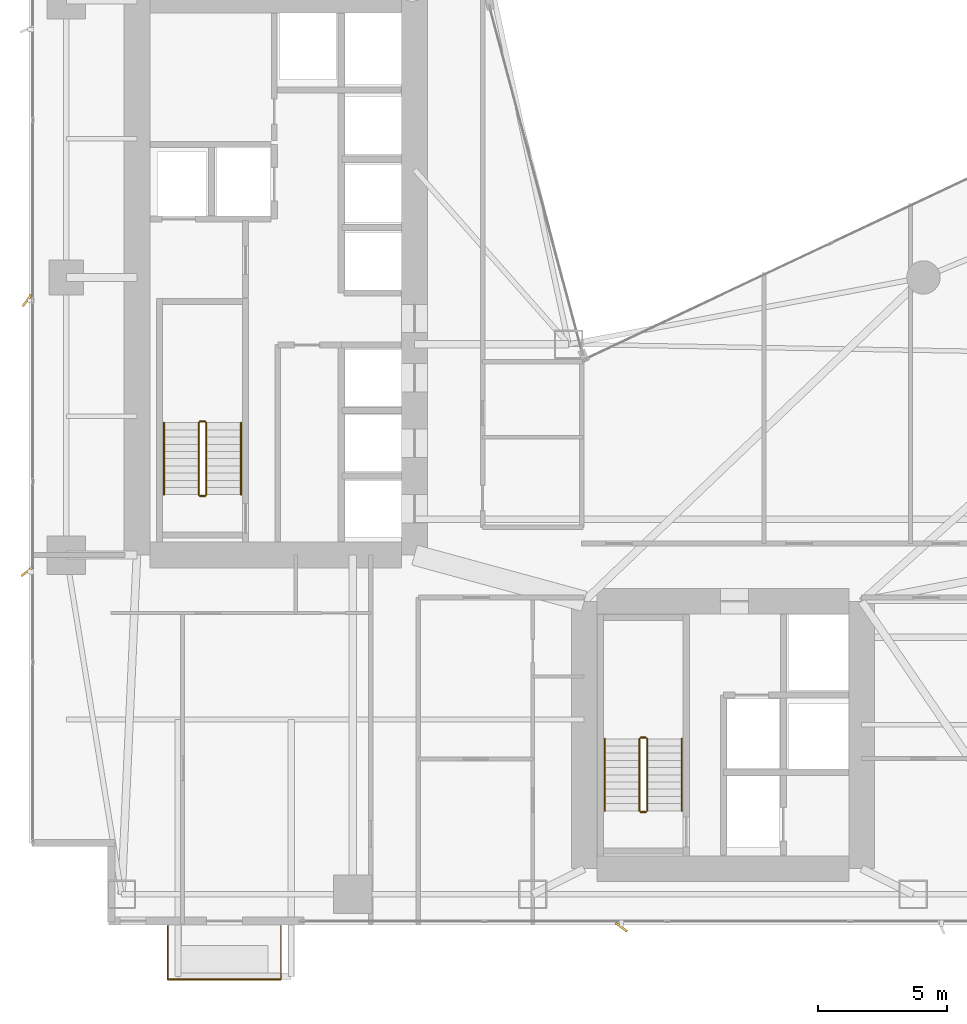
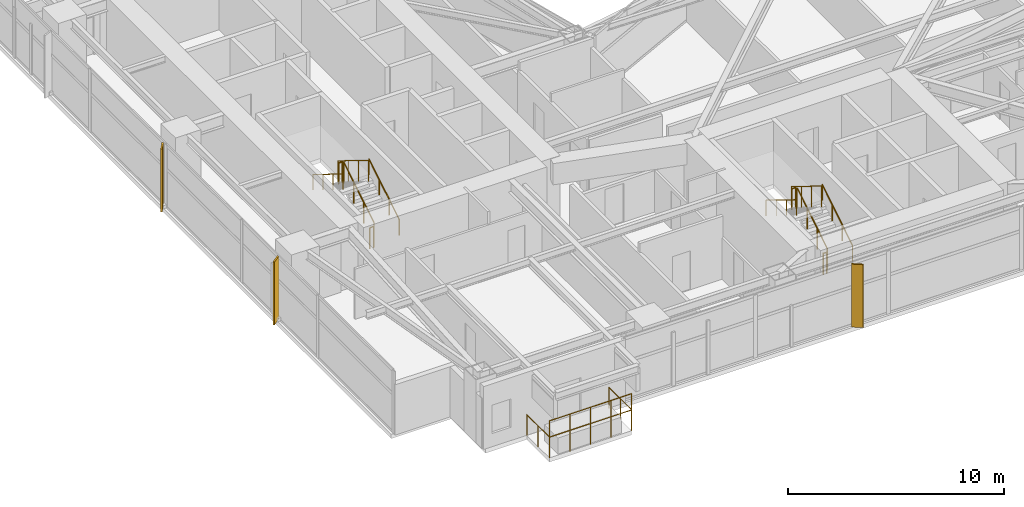
# One storey, part 28 of 30: 14 railings, 3 shading devices.
"""IFC4 building model written with IfcOpenShell, lengths in metres."""

import ifcopenshell
import ifcopenshell.guid

model = None  # the IFC model being written
_history = None  # IfcOwnerHistory: only IFC2X3 demands one
_inside = {}  # id of a spatial element -> (the spatial element, [elements in it])
_under = {}  # id of a project, library or spatial element -> (it, [spatial elements below it])
_declared = {}  # id of a project -> (the project, [libraries it declares])
_typed = {}  # id of a type object -> (the type object, [elements of that type])
_made_of = {}  # id of a material, layer set ... -> (it, [elements and type objects made of it])


def new_model(schema):
    """Start an empty IFC model of exactly this schema.

    Asked for "IFC4X3", IfcOpenShell would pick the latest addendum, in which some entities
    have other attributes; the version numbers below select the first issue.
    IFC2X3 requires an IfcOwnerHistory on every rooted entity: one is made here for all.
    """
    global model, _history
    if schema == "IFC4X3":
        model = ifcopenshell.file(schema_version=(4, 3, 0, 0))
    else:
        model = ifcopenshell.file(schema=schema)
    _inside.clear()
    _under.clear()
    _declared.clear()
    _typed.clear()
    _made_of.clear()
    _history = None
    if model.schema == "IFC2X3":
        org = make("IfcOrganization", Name="unknown")
        user = make(
            "IfcPersonAndOrganization",
            ThePerson=make("IfcPerson", FamilyName="unknown"),
            TheOrganization=org,
        )
        app = make(
            "IfcApplication",
            ApplicationDeveloper=org,
            Version="unknown",
            ApplicationFullName="unknown",
            ApplicationIdentifier="unknown",
        )
        _history = make(
            "IfcOwnerHistory",
            OwningUser=user,
            OwningApplication=app,
            ChangeAction="ADDED",
            CreationDate=0,
        )
    return model


def make(cls, **values):
    """One entity of the class cls with the attributes given. An attribute that is None is left unset."""
    return model.create_entity(
        cls, **{name: value for name, value in values.items() if value is not None}
    )


def rooted(cls, **values):
    """An entity with a GlobalId (a new one), such as an element, a storey or a relation."""
    return make(cls, GlobalId=ifcopenshell.guid.new(), OwnerHistory=_history, **values)


def si_unit(unit_type, name, prefix=None):
    """IfcSIUnit, for example si_unit("LENGTHUNIT", "METRE", prefix="MILLI")."""
    return make("IfcSIUnit", UnitType=unit_type, Prefix=prefix, Name=name)


def assignment(units):
    """IfcUnitAssignment: the units of a project."""
    return None if units is None else make("IfcUnitAssignment", Units=units)


def point(xyz):
    """IfcCartesianPoint."""
    return None if xyz is None else make("IfcCartesianPoint", Coordinates=xyz)


def direction(xyz):
    """IfcDirection."""
    return None if xyz is None else make("IfcDirection", DirectionRatios=xyz)


def frame(location, z_axis=None, x_axis=None):
    """IfcAxis2Placement3D, a coordinate frame: its origin and axes. An axis left out is left unset."""
    return make(
        "IfcAxis2Placement3D",
        Location=point(location),
        Axis=direction(z_axis),
        RefDirection=direction(x_axis),
    )


def frame_2d(location, x_axis=None):
    """IfcAxis2Placement2D, a coordinate frame in the plane: its origin and x axis."""
    return make(
        "IfcAxis2Placement2D", Location=point(location), RefDirection=direction(x_axis)
    )


def origin():
    """The frame at (0, 0, 0) with its axes left unset."""
    return frame((0.0, 0.0, 0.0))


def origin_2d():
    """The frame at (0, 0) in the plane with its x axis left unset."""
    return frame_2d((0.0, 0.0))


def place(relative_to, where):
    """IfcLocalPlacement: puts the frame where relative to a parent placement (None: the world)."""
    return make(
        "IfcLocalPlacement", PlacementRelTo=relative_to, RelativePlacement=where
    )


def context(
    kind, dimensions, precision=None, world=None, true_north=None, identifier=None
):
    """IfcGeometricRepresentationContext, for example the 3D "Model" context."""
    return make(
        "IfcGeometricRepresentationContext",
        ContextIdentifier=identifier,
        ContextType=kind,
        CoordinateSpaceDimension=dimensions,
        Precision=precision,
        WorldCoordinateSystem=world,
        TrueNorth=true_north,
    )


def subcontext(parent, identifier, kind, view, scale=None):
    """IfcGeometricRepresentationSubContext, for example "Body" below "Model"."""
    return make(
        "IfcGeometricRepresentationSubContext",
        ContextIdentifier=identifier,
        ContextType=kind,
        ParentContext=parent,
        TargetScale=scale,
        TargetView=view,
    )


def project(units=None, contexts=None):
    """IfcProject with its units and contexts."""
    return rooted(
        "IfcProject",
        Name="project",
        RepresentationContexts=contexts,
        UnitsInContext=assignment(units),
    )


def spatial(cls, under=None, at=None, **own):
    """A site, building, storey or space (cls), placed at a placement, below another one or the project."""
    s = rooted(cls, ObjectPlacement=at, **own)
    if under is not None:
        _under.setdefault(under.id(), (under, []))[1].append(s)
    return s


def profile(cls, at=None, kind="AREA", **sizes):
    """A parametric profile (cls). Its sizes go by their IFC names, for example OverallWidth=200.0."""
    return make(cls, ProfileType=kind, Position=at, **sizes)


def rectangle(**sizes):
    """IfcRectangleProfileDef."""
    return profile("IfcRectangleProfileDef", **sizes)


def circle(**sizes):
    """IfcCircleProfileDef."""
    return profile("IfcCircleProfileDef", **sizes)


def extrude(swept, where, along, depth):
    """IfcExtrudedAreaSolid: the profile swept, set in the frame where, extruded along a direction by depth."""
    return make(
        "IfcExtrudedAreaSolid",
        SweptArea=swept,
        Position=where,
        ExtrudedDirection=direction(along),
        Depth=depth,
    )


def shape(context_of_items, identifier, shape_type, items):
    """IfcShapeRepresentation: the items that make up one representation, for example the "Body"."""
    return make(
        "IfcShapeRepresentation",
        ContextOfItems=context_of_items,
        RepresentationIdentifier=identifier,
        RepresentationType=shape_type,
        Items=items,
    )


def material(Name=None, Category=None):
    """IfcMaterial."""
    return make("IfcMaterial", Name=Name, Category=Category)


def made_of(thing, what):
    """Note that an element or type object is made of a material, layer set ...; save() writes the relation."""
    if what is not None:
        _made_of.setdefault(what.id(), (what, []))[1].append(thing)
    return thing


def type_object(cls, material=None, **own):
    """A type object (cls), such as IfcWallType, which elements share."""
    return made_of(rooted(cls, **own), material)


def element(
    cls,
    number,
    at=None,
    inside=None,
    cuts=None,
    type_object=None,
    material=None,
    context=None,
    identifier="Body",
    shape_type=None,
    held_by="IfcProductDefinitionShape",
    body=None,
    shapes=None,
    **own,
):
    """One element of the class cls, such as IfcWall. Its Tag is "e" and its number.

    at: its placement. inside: the storey or other place that contains it. cuts: it is an
    opening in that element (IfcRelVoidsElement). A single representation is given by context,
    identifier, shape_type and body (its items); several are given by shapes. held_by: the class
    of the entity that holds the representations. save() writes the other relations.
    """
    e = rooted(cls, Tag="e%d" % number, ObjectPlacement=at, **own)
    if body is not None:
        shapes = [shape(context, identifier, shape_type, body)]
    if shapes is not None:
        e.Representation = make(held_by, Representations=shapes)
    if inside is not None:
        _inside.setdefault(inside.id(), (inside, []))[1].append(e)
    if cuts is not None:
        rooted(
            "IfcRelVoidsElement", RelatingBuildingElement=cuts, RelatedOpeningElement=e
        )
    if type_object is not None:
        _typed.setdefault(type_object.id(), (type_object, []))[1].append(e)
    return made_of(e, material)


def aggregate(whole, parts):
    """IfcRelAggregates: a whole, such as a stair, and the parts it consists of."""
    return rooted("IfcRelAggregates", RelatingObject=whole, RelatedObjects=parts)


def save(model, path):
    """Write the relations noted so far, then the file.

    IfcRelAggregates (storeys below a building ...), IfcRelContainedInSpatialStructure (elements
    in a storey), IfcRelDefinesByType, IfcRelAssociatesMaterial and IfcRelDeclares: one each for
    every whole, place, type object, material and project.
    """
    for whole, parts in _under.values():
        aggregate(whole, parts)
    for where, things in _inside.values():
        rooted(
            "IfcRelContainedInSpatialStructure",
            RelatedElements=things,
            RelatingStructure=where,
        )
    for kind, things in _typed.values():
        rooted("IfcRelDefinesByType", RelatedObjects=things, RelatingType=kind)
    for what, things in _made_of.values():
        rooted("IfcRelAssociatesMaterial", RelatedObjects=things, RelatingMaterial=what)
    for by, libraries in _declared.values():
        rooted("IfcRelDeclares", RelatingContext=by, RelatedDefinitions=libraries)
    model.write(path)


model = new_model("IFC4")

# Units and contexts
model_context = context("Model", 3, precision=1e-05, world=origin(), true_north=direction((0.0, 1.0)))
body_context = subcontext(model_context, "Body", "Model", "MODEL_VIEW")
ifc_project = project(units=[si_unit("LENGTHUNIT", "METRE"), si_unit("AREAUNIT", "SQUARE_METRE"), si_unit("VOLUMEUNIT", "CUBIC_METRE"), si_unit("PLANEANGLEUNIT", "RADIAN"), si_unit("MASSUNIT", "GRAM", prefix="KILO")], contexts=[model_context])

# Site, building, storey
site_placement = place(None, origin())
site = spatial("IfcSite", under=ifc_project, at=site_placement, CompositionType="ELEMENT")
building_placement = place(site_placement, origin())
building = spatial("IfcBuilding", under=site, at=building_placement, Name="Calvorn Quay Hotel", CompositionType="ELEMENT")
storey_placement = place(building_placement, frame((0.0, 0.0, 54.60009765625)))
storey = spatial("IfcBuildingStorey", under=building, at=storey_placement, Name="L12", CompositionType="ELEMENT", Elevation=54.60009765625)

# Railings
ifc_material_1 = material(Name="Pale Anodised Aluminium and Laminated Glass", Category="aluminium")
railing_type_1 = type_object("IfcRailingType", Name="RLG-BALUSTRADE-1200", PredefinedType="BALUSTRADE", material=ifc_material_1)
railing_1_placement = place(storey_placement, frame((5.39990234375, 2.389892578125, 0.0)))
element("IfcRailing", 1, at=railing_1_placement, inside=storey, type_object=railing_type_1, Name="Tree Balcony Perimeter Balustrade L12-BALC-S", PredefinedType="BALUSTRADE", context=body_context, shape_type="SweptSolid", body=[
    extrude(circle(Radius=0.02392578125, at=origin_2d()), frame((0.0, 0.0, 1.17578125), z_axis=(0.0, -1.0, 0.0), x_axis=(1.0, 0.0, 0.0)), (0.0, 0.0, 1.0), 2.099853515625),
    extrude(circle(Radius=0.02392578125, at=origin_2d()), frame((0.0, -2.099853515625, 1.17578125), z_axis=(1.0, 0.0, 0.0), x_axis=(0.0, 1.0, 0.0)), (0.0, 0.0, 1.0), 4.400146484375),
    extrude(circle(Radius=0.02392578125, at=origin_2d()), frame((4.400146484375, -2.099853515625, 1.17578125), z_axis=(0.0, 1.0, 0.0), x_axis=(-1.0, 0.0, 0.0)), (0.0, 0.0, 1.0), 2.099853515625),
    extrude(circle(Radius=0.02099609375, at=origin_2d()), origin(), (0.0, 0.0, 1.0), 1.15185546875),
    extrude(circle(Radius=0.02099609375, at=origin_2d()), frame((0.0, -1.0498046875, 0.0)), (0.0, 0.0, 1.0), 1.15185546875),
    extrude(circle(Radius=0.02099609375, at=origin_2d()), frame((0.0, -2.099853515625, 0.0)), (0.0, 0.0, 1.0), 1.15185546875),
    extrude(circle(Radius=0.02099609375, at=origin_2d()), frame((1.10009765625, -2.099853515625, 0.0)), (0.0, 0.0, 1.0), 1.15185546875),
    extrude(circle(Radius=0.02099609375, at=origin_2d()), frame((2.2001953125, -2.099853515625, 0.0)), (0.0, 0.0, 1.0), 1.15185546875),
    extrude(circle(Radius=0.02099609375, at=origin_2d()), frame((3.300048828125, -2.099853515625, 0.0)), (0.0, 0.0, 1.0), 1.15185546875),
    extrude(circle(Radius=0.02099609375, at=origin_2d()), frame((4.400146484375, -2.099853515625, 0.0)), (0.0, 0.0, 1.0), 1.15185546875),
    extrude(circle(Radius=0.02099609375, at=origin_2d()), frame((4.400146484375, -1.0498046875, 0.0)), (0.0, 0.0, 1.0), 1.15185546875),
    extrude(circle(Radius=0.02099609375, at=origin_2d()), frame((4.400146484375, 0.0, 0.0)), (0.0, 0.0, 1.0), 1.15185546875),
])
railing_2_placement = place(storey_placement, frame((5.39990234375, 0.2900390625, 0.89990234375)))
element("IfcRailing", 2, at=railing_2_placement, inside=storey, type_object=railing_type_1, Name="Planter Kerb High Safety Screen L12-BALC-S", PredefinedType="BALUSTRADE", context=body_context, shape_type="SweptSolid", body=[
    extrude(circle(Radius=0.02392578125, at=origin_2d()), frame((0.0, 0.0, 1.19580078125), z_axis=(1.0, 0.0, 0.0), x_axis=(0.0, 1.0, 0.0)), (0.0, 0.0, 1.0), 4.400146484375),
    extrude(circle(Radius=0.02099609375, at=origin_2d()), origin(), (0.0, 0.0, 1.0), 1.171875),
    extrude(circle(Radius=0.02099609375, at=origin_2d()), frame((1.10009765625, 0.0, 0.0)), (0.0, 0.0, 1.0), 1.171875),
    extrude(circle(Radius=0.02099609375, at=origin_2d()), frame((2.2001953125, 0.0, 0.0)), (0.0, 0.0, 1.0), 1.171875),
    extrude(circle(Radius=0.02099609375, at=origin_2d()), frame((3.300048828125, 0.0, 0.0)), (0.0, 0.0, 1.0), 1.171875),
    extrude(circle(Radius=0.02099609375, at=origin_2d()), frame((4.400146484375, 0.0, 0.0)), (0.0, 0.0, 1.0), 1.171875),
])
ifc_material_2 = material(Name="Brushed Stainless Steel Handrail", Category="steel")
railing_type_2 = type_object("IfcRailingType", Name="RLG-HANDRAIL-900", PredefinedType="HANDRAIL", material=ifc_material_2)
railing_3_placement = place(storey_placement, frame((8.25, 19.14990234375, 0.172607421875)))
element("IfcRailing", 3, at=railing_3_placement, inside=storey, type_object=railing_type_2, Name="L12 ST-W stair handrail 1", PredefinedType="HANDRAIL", context=body_context, shape_type="SweptSolid", body=[
    extrude(circle(Radius=0.02392578125, at=origin_2d()), frame((0.0, 0.0, 0.8759765625), z_axis=(0.0, 0.851089632645, 0.525020415988), x_axis=(-1.0, 0.0, 0.0)), (0.0, 0.0, 1.0), 3.2900390625),
    extrude(circle(Radius=0.02099609375, at=origin_2d()), origin(), (0.0, 0.0, 1.0), 0.851806640625),
    extrude(circle(Radius=0.02099609375, at=origin_2d()), frame((0.0, 0.933349609375, 0.57568359375)), (0.0, 0.0, 1.0), 0.851806640625),
    extrude(circle(Radius=0.02099609375, at=origin_2d()), frame((0.0, 1.86669921875, 1.151611328125)), (0.0, 0.0, 1.0), 0.851806640625),
    extrude(circle(Radius=0.02099609375, at=origin_2d()), frame((0.0, 2.800048828125, 1.727294921875)), (0.0, 0.0, 1.0), 0.851806640625),
])
railing_4_placement = place(storey_placement, frame((5.25, 21.949951171875, 2.072509765625)))
element("IfcRailing", 4, at=railing_4_placement, inside=storey, type_object=railing_type_2, Name="L12 ST-W stair handrail 2", PredefinedType="HANDRAIL", context=body_context, shape_type="SweptSolid", body=[
    extrude(circle(Radius=0.02392578125, at=origin_2d()), frame((0.0, 0.0, 0.8759765625), z_axis=(0.0, -0.851089632645, 0.525020415988), x_axis=(1.0, 0.0, 0.0)), (0.0, 0.0, 1.0), 3.2900390625),
    extrude(circle(Radius=0.02099609375, at=origin_2d()), origin(), (0.0, 0.0, 1.0), 0.851806640625),
    extrude(circle(Radius=0.02099609375, at=origin_2d()), frame((0.0, -0.933349609375, 0.57568359375)), (0.0, 0.0, 1.0), 0.851806640625),
    extrude(circle(Radius=0.02099609375, at=origin_2d()), frame((0.0, -1.86669921875, 1.151611328125)), (0.0, 0.0, 1.0), 0.851806640625),
    extrude(circle(Radius=0.02099609375, at=origin_2d()), frame((0.0, -2.800048828125, 1.727294921875)), (0.0, 0.0, 1.0), 0.851806640625),
])
railing_5_placement = place(storey_placement, frame((25.39990234375, 6.85009765625, 0.172607421875)))
element("IfcRailing", 5, at=railing_5_placement, inside=storey, type_object=railing_type_2, Name="L12 ST-E stair handrail 1", PredefinedType="HANDRAIL", context=body_context, shape_type="SweptSolid", body=[
    extrude(circle(Radius=0.02392578125, at=origin_2d()), frame((0.0, 0.0, 0.8759765625), z_axis=(0.0, 0.851069175582, 0.525053576669), x_axis=(-1.0, 0.0, 0.0)), (0.0, 0.0, 1.0), 3.289794921875),
    extrude(circle(Radius=0.02099609375, at=origin_2d()), origin(), (0.0, 0.0, 1.0), 0.851806640625),
    extrude(circle(Radius=0.02099609375, at=origin_2d()), frame((0.0, 0.933349609375, 0.57568359375)), (0.0, 0.0, 1.0), 0.851806640625),
    extrude(circle(Radius=0.02099609375, at=origin_2d()), frame((0.0, 1.866455078125, 1.151611328125)), (0.0, 0.0, 1.0), 0.851806640625),
    extrude(circle(Radius=0.02099609375, at=origin_2d()), frame((0.0, 2.7998046875, 1.727294921875)), (0.0, 0.0, 1.0), 0.851806640625),
])
railing_6_placement = place(storey_placement, frame((22.39990234375, 9.64990234375, 2.072509765625)))
element("IfcRailing", 6, at=railing_6_placement, inside=storey, type_object=railing_type_2, Name="L12 ST-E stair handrail 2", PredefinedType="HANDRAIL", context=body_context, shape_type="SweptSolid", body=[
    extrude(circle(Radius=0.02392578125, at=origin_2d()), frame((0.0, 0.0, 0.8759765625), z_axis=(0.0, -0.851069175582, 0.525053576669), x_axis=(1.0, 0.0, 0.0)), (0.0, 0.0, 1.0), 3.289794921875),
    extrude(circle(Radius=0.02099609375, at=origin_2d()), origin(), (0.0, 0.0, 1.0), 0.851806640625),
    extrude(circle(Radius=0.02099609375, at=origin_2d()), frame((0.0, -0.933349609375, 0.57568359375)), (0.0, 0.0, 1.0), 0.851806640625),
    extrude(circle(Radius=0.02099609375, at=origin_2d()), frame((0.0, -1.866455078125, 1.151611328125)), (0.0, 0.0, 1.0), 0.851806640625),
    extrude(circle(Radius=0.02099609375, at=origin_2d()), frame((0.0, -2.7998046875, 1.727294921875)), (0.0, 0.0, 1.0), 0.851806640625),
])
ifc_material_3 = material(Name="Painted Galvanised Steel Balustrade", Category="steel")
railing_type_3 = type_object("IfcRailingType", Name="RLG-STAIR-GUARD-1120", PredefinedType="GUARDRAIL", material=ifc_material_3)
railing_7_placement = place(storey_placement, frame((6.89990234375, 19.14990234375, 0.172607421875)))
element("IfcRailing", 7, at=railing_7_placement, inside=storey, type_object=railing_type_3, Name="L12 ST-W stair guard 1", PredefinedType="GUARDRAIL", context=body_context, shape_type="SweptSolid", body=[
    extrude(circle(Radius=0.02392578125, at=origin_2d()), frame((0.0, 0.0, 1.17578125), z_axis=(0.0, 0.851089632645, 0.525020415988), x_axis=(-1.0, 0.0, 0.0)), (0.0, 0.0, 1.0), 3.2900390625),
    extrude(circle(Radius=0.02099609375, at=origin_2d()), origin(), (0.0, 0.0, 1.0), 1.15185546875),
    extrude(circle(Radius=0.02099609375, at=origin_2d()), frame((0.0, 0.933349609375, 0.57568359375)), (0.0, 0.0, 1.0), 1.15185546875),
    extrude(circle(Radius=0.02099609375, at=origin_2d()), frame((0.0, 1.86669921875, 1.151611328125)), (0.0, 0.0, 1.0), 1.15185546875),
    extrude(circle(Radius=0.02099609375, at=origin_2d()), frame((0.0, 2.800048828125, 1.727294921875)), (0.0, 0.0, 1.0), 1.15185546875),
])
railing_8_placement = place(storey_placement, frame((6.85009765625, 22.0, 1.89990234375)))
element("IfcRailing", 8, at=railing_8_placement, inside=storey, type_object=railing_type_3, Name="L12 ST-W stair guard 2", PredefinedType="GUARDRAIL", context=body_context, shape_type="SweptSolid", body=[
    extrude(circle(Radius=0.02392578125, at=origin_2d()), frame((0.0, 0.0, 1.17578125), z_axis=(-1.0, 0.0, 0.0), x_axis=(0.0, -1.0, 0.0)), (0.0, 0.0, 1.0), 0.2001953125),
    extrude(circle(Radius=0.02099609375, at=origin_2d()), origin(), (0.0, 0.0, 1.0), 1.15185546875),
    extrude(circle(Radius=0.02099609375, at=origin_2d()), frame((-0.2001953125, 0.0, 0.0)), (0.0, 0.0, 1.0), 1.15185546875),
])
railing_9_placement = place(storey_placement, frame((6.60009765625, 21.949951171875, 2.072509765625)))
element("IfcRailing", 9, at=railing_9_placement, inside=storey, type_object=railing_type_3, Name="L12 ST-W stair guard 3", PredefinedType="GUARDRAIL", context=body_context, shape_type="SweptSolid", body=[
    extrude(circle(Radius=0.02392578125, at=origin_2d()), frame((0.0, 0.0, 1.17578125), z_axis=(0.0, -0.851089632645, 0.525020415988), x_axis=(1.0, 0.0, 0.0)), (0.0, 0.0, 1.0), 3.2900390625),
    extrude(circle(Radius=0.02099609375, at=origin_2d()), origin(), (0.0, 0.0, 1.0), 1.15185546875),
    extrude(circle(Radius=0.02099609375, at=origin_2d()), frame((0.0, -0.933349609375, 0.57568359375)), (0.0, 0.0, 1.0), 1.15185546875),
    extrude(circle(Radius=0.02099609375, at=origin_2d()), frame((0.0, -1.86669921875, 1.151611328125)), (0.0, 0.0, 1.0), 1.15185546875),
    extrude(circle(Radius=0.02099609375, at=origin_2d()), frame((0.0, -2.800048828125, 1.727294921875)), (0.0, 0.0, 1.0), 1.15185546875),
])
railing_10_placement = place(storey_placement, frame((6.85009765625, 19.10009765625, 0.0)))
element("IfcRailing", 10, at=railing_10_placement, inside=storey, type_object=railing_type_3, Name="L12 ST-W stair guard 4", PredefinedType="GUARDRAIL", context=body_context, shape_type="SweptSolid", body=[
    extrude(circle(Radius=0.02392578125, at=origin_2d()), frame((0.0, 0.0, 1.17578125), z_axis=(-1.0, 0.0, 0.0), x_axis=(0.0, -1.0, 0.0)), (0.0, 0.0, 1.0), 0.2001953125),
    extrude(circle(Radius=0.02099609375, at=origin_2d()), origin(), (0.0, 0.0, 1.0), 1.15185546875),
    extrude(circle(Radius=0.02099609375, at=origin_2d()), frame((-0.2001953125, 0.0, 0.0)), (0.0, 0.0, 1.0), 1.15185546875),
])
railing_11_placement = place(storey_placement, frame((24.050048828125, 6.85009765625, 0.172607421875)))
element("IfcRailing", 11, at=railing_11_placement, inside=storey, type_object=railing_type_3, Name="L12 ST-E stair guard 1", PredefinedType="GUARDRAIL", context=body_context, shape_type="SweptSolid", body=[
    extrude(circle(Radius=0.02392578125, at=origin_2d()), frame((0.0, 0.0, 1.17578125), z_axis=(0.0, 0.851069175582, 0.525053576669), x_axis=(-1.0, 0.0, 0.0)), (0.0, 0.0, 1.0), 3.289794921875),
    extrude(circle(Radius=0.02099609375, at=origin_2d()), origin(), (0.0, 0.0, 1.0), 1.15185546875),
    extrude(circle(Radius=0.02099609375, at=origin_2d()), frame((0.0, 0.933349609375, 0.57568359375)), (0.0, 0.0, 1.0), 1.15185546875),
    extrude(circle(Radius=0.02099609375, at=origin_2d()), frame((0.0, 1.866455078125, 1.151611328125)), (0.0, 0.0, 1.0), 1.15185546875),
    extrude(circle(Radius=0.02099609375, at=origin_2d()), frame((0.0, 2.7998046875, 1.727294921875)), (0.0, 0.0, 1.0), 1.15185546875),
])
railing_12_placement = place(storey_placement, frame((24.0, 9.699951171875, 1.89990234375)))
element("IfcRailing", 12, at=railing_12_placement, inside=storey, type_object=railing_type_3, Name="L12 ST-E stair guard 2", PredefinedType="GUARDRAIL", context=body_context, shape_type="SweptSolid", body=[
    extrude(circle(Radius=0.02392578125, at=origin_2d()), frame((0.0, 0.0, 1.17578125), z_axis=(-1.0, 0.0, 0.0), x_axis=(0.0, -1.0, 0.0)), (0.0, 0.0, 1.0), 0.199951171875),
    extrude(circle(Radius=0.02099609375, at=origin_2d()), origin(), (0.0, 0.0, 1.0), 1.15185546875),
    extrude(circle(Radius=0.02099609375, at=origin_2d()), frame((-0.199951171875, 0.0, 0.0)), (0.0, 0.0, 1.0), 1.15185546875),
])
railing_13_placement = place(storey_placement, frame((23.75, 9.64990234375, 2.072509765625)))
element("IfcRailing", 13, at=railing_13_placement, inside=storey, type_object=railing_type_3, Name="L12 ST-E stair guard 3", PredefinedType="GUARDRAIL", context=body_context, shape_type="SweptSolid", body=[
    extrude(circle(Radius=0.02392578125, at=origin_2d()), frame((0.0, 0.0, 1.17578125), z_axis=(0.0, -0.851069175582, 0.525053576669), x_axis=(1.0, 0.0, 0.0)), (0.0, 0.0, 1.0), 3.289794921875),
    extrude(circle(Radius=0.02099609375, at=origin_2d()), origin(), (0.0, 0.0, 1.0), 1.15185546875),
    extrude(circle(Radius=0.02099609375, at=origin_2d()), frame((0.0, -0.933349609375, 0.57568359375)), (0.0, 0.0, 1.0), 1.15185546875),
    extrude(circle(Radius=0.02099609375, at=origin_2d()), frame((0.0, -1.866455078125, 1.151611328125)), (0.0, 0.0, 1.0), 1.15185546875),
    extrude(circle(Radius=0.02099609375, at=origin_2d()), frame((0.0, -2.7998046875, 1.727294921875)), (0.0, 0.0, 1.0), 1.15185546875),
])
railing_14_placement = place(storey_placement, frame((24.0, 6.800048828125, 0.0)))
element("IfcRailing", 14, at=railing_14_placement, inside=storey, type_object=railing_type_3, Name="L12 ST-E stair guard 4", PredefinedType="GUARDRAIL", context=body_context, shape_type="SweptSolid", body=[
    extrude(circle(Radius=0.02392578125, at=origin_2d()), frame((0.0, 0.0, 1.17578125), z_axis=(-1.0, 0.0, 0.0), x_axis=(0.0, -1.0, 0.0)), (0.0, 0.0, 1.0), 0.199951171875),
    extrude(circle(Radius=0.02099609375, at=origin_2d()), origin(), (0.0, 0.0, 1.0), 1.15185546875),
    extrude(circle(Radius=0.02099609375, at=origin_2d()), frame((-0.199951171875, 0.0, 0.0)), (0.0, 0.0, 1.0), 1.15185546875),
])

# Shading devices
ifc_material_4 = material(Name="Champagne Bronze Anodised Aluminium 6063-T6", Category="aluminium")
shading_device_type_1 = type_object("IfcShadingDeviceType", Name="SHD-FIN-A2", PredefinedType="USERDEFINED", material=ifc_material_4)
shading_device_placement = place(storey_placement, frame((-0.080078125, 16.14990234375, -0.000244140625), z_axis=(0.0, 0.0, 1.0), x_axis=(0.788010753607, 0.615661475326, 0.0)))
element("IfcShadingDevice", 15, at=shading_device_placement, inside=storey, type_object=shading_device_type_1, Name="Diagonal Sun-Shading Fin L12-W01", ObjectType="FIN", PredefinedType="USERDEFINED", context=body_context, shape_type="SweptSolid", body=[
    extrude(rectangle(XDim=0.550048828125, YDim=0.080078125, at=origin_2d()), origin(), (0.0, 0.0, 1.0), 3.56005859375),
])
ifc_material_5 = material(Name="Champagne Bronze Anodised Aluminium 6063-T6", Category="aluminium")
shading_device_type_2 = type_object("IfcShadingDeviceType", Name="SHD-FIN-A3", PredefinedType="USERDEFINED", material=ifc_material_5)
for number, where, z_axis, x_axis, name in (
    (16, (-0.080078125, 26.699951171875, -0.000244140625), (0.0, 0.0, 1.0), (0.587785252292, 0.809016994375, 0.0), "Diagonal Sun-Shading Fin L12-W02"),
    (17, (23.050048828125, 2.320068359375, -0.000244140625), (0.0, 0.0, 1.0), (-0.809016994375, 0.587785252292, 0.0), "Diagonal Sun-Shading Fin L12-S01"),
):
    element("IfcShadingDevice", number, at=place(storey_placement, frame(where, z_axis=z_axis, x_axis=x_axis)), inside=storey, type_object=shading_device_type_2, Name=name, ObjectType="FIN", PredefinedType="USERDEFINED", context=body_context, shape_type="SweptSolid", body=[
        extrude(rectangle(XDim=0.550048828125, YDim=0.080078125, at=origin_2d()), origin(), (0.0, 0.0, 1.0), 3.56005859375),
    ])

save(model, "model.ifc")
